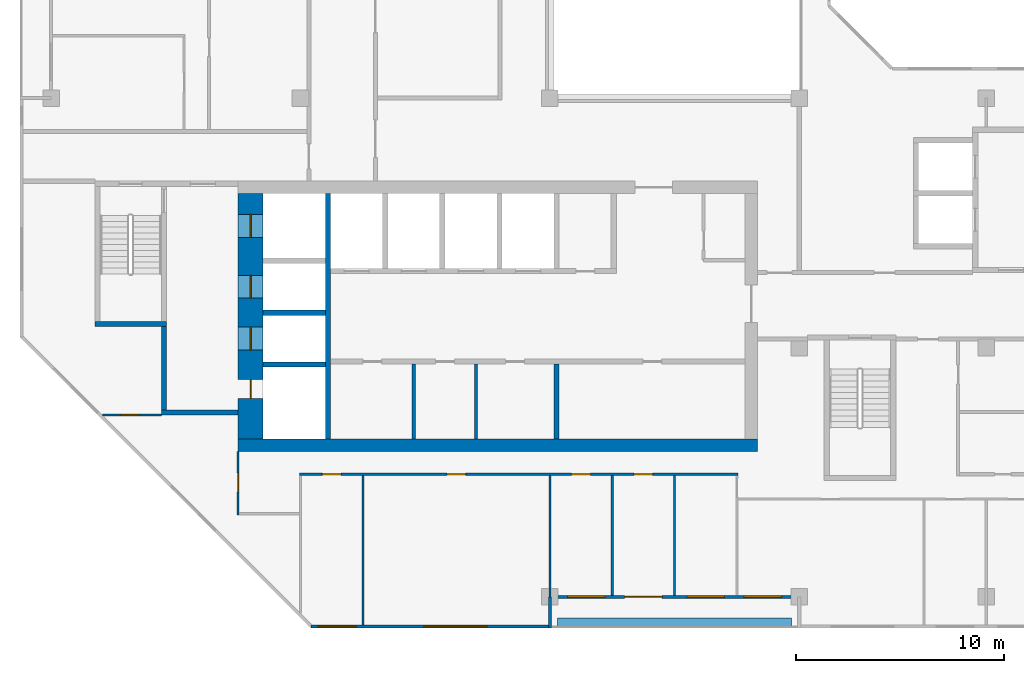
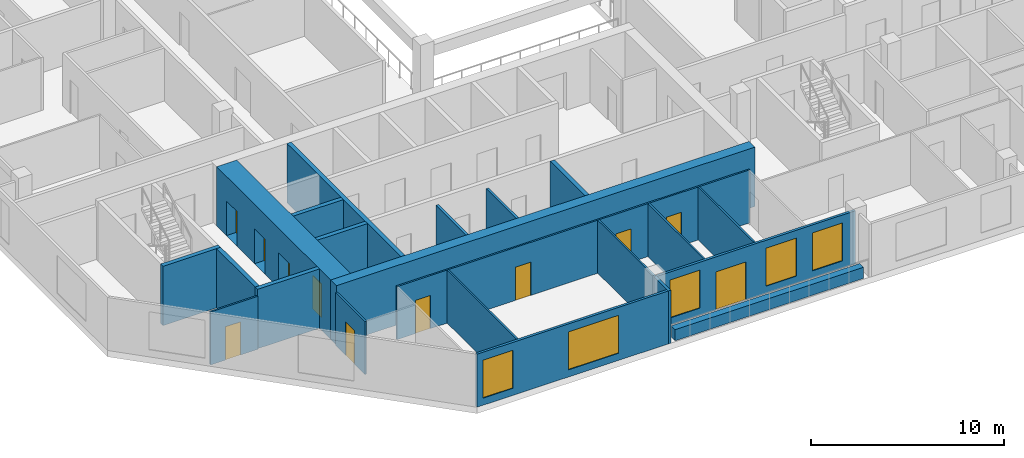
# One storey, part 4 of 13: 22 walls, 11 doors, 5 windows, 16 openings.
"""IFC4 building model written with IfcOpenShell, lengths in metres."""

from ifc_helpers import new_model, si_unit, direction, frame, frame_2d, origin, place, context, subcontext, project, spatial, rectangle, extrude, material, layer, layer_set, type_object, element, fill, save


model = new_model("IFC4")

# Units and contexts
model_context = context("Model", 3, precision=1e-05, world=origin(), true_north=direction((0.0, 1.0)))
body_context = subcontext(model_context, "Body", "Model", "MODEL_VIEW")
ifc_project = project(units=[si_unit("LENGTHUNIT", "METRE"), si_unit("AREAUNIT", "SQUARE_METRE"), si_unit("VOLUMEUNIT", "CUBIC_METRE"), si_unit("PLANEANGLEUNIT", "RADIAN"), si_unit("MASSUNIT", "GRAM", prefix="KILO")], contexts=[model_context])

# Site, building, storey
site_placement = place(None, origin())
site = spatial("IfcSite", under=ifc_project, at=site_placement, CompositionType="ELEMENT")
building_placement = place(site_placement, origin())
building = spatial("IfcBuilding", under=site, at=building_placement, Name="Chenar Terraces", CompositionType="ELEMENT")
storey_placement = place(building_placement, frame((0.0, 0.0, 292.14990234375)))
storey = spatial("IfcBuildingStorey", under=building, at=storey_placement, Name="L68", CompositionType="ELEMENT", Elevation=292.14990234375)

# Walls
ifc_material_1 = material(Name="Gypsum board on steel studs", Category="steel")
ifc_layer_1 = layer(ifc_material_1, 0.14990234375)
ifc_layer_set_1 = layer_set([ifc_layer_1], Name="Gypsum board on steel studs")
wall_type_1 = type_object("IfcWallType", Name="Core partition 150 gypsum board", PredefinedType="PARTITIONING", material=ifc_layer_set_1)
for number, where, z_axis, x_axis, name in (
    (1, (17.449951171875, 7.60009765625, 0.0), (0.0, 0.0, 1.0), (0.0, 1.0, 0.0), "Core partition CP1 freed bay wall"),
    (2, (20.449951171875, 7.60009765625, 0.0), (0.0, 0.0, 1.0), (0.0, 1.0, 0.0), "Core partition CP1 freed bay wall"),
):
    element("IfcWall", number, at=place(storey_placement, frame(where, z_axis=z_axis, x_axis=x_axis)), inside=storey, type_object=wall_type_1, Name=name, PredefinedType="PARTITIONING", context=body_context, shape_type="SweptSolid", body=[
        extrude(rectangle(XDim=3.599853515625, YDim=0.14990234375, at=frame_2d((1.7998046875, 0.0))), origin(), (0.0, 0.0, 1.0), 3.35009765625),
    ])

# Wall, openings, doors
ifc_material_2 = material(Name="Concrete C50/60", Category="concrete")
ifc_layer_2 = layer(ifc_material_2, 1.199951171875)
ifc_layer_set_2 = layer_set([ifc_layer_2], Name="Concrete C50/60")
wall_type_2 = type_object("IfcWallType", Name="Core wall 1200 Concrete C50/60", PredefinedType="SHEAR", material=ifc_layer_set_2)
wall_1_placement = place(storey_placement, frame((9.60009765625, 7.60009765625, 0.0), z_axis=(0.0, 0.0, 1.0), x_axis=(0.0, 1.0, 0.0)))
wall_1 = element("IfcWall", 3, at=wall_1_placement, inside=storey, type_object=wall_type_2, Name="Core wall W L68", PredefinedType="SHEAR", context=body_context, shape_type="SweptSolid", body=[
    extrude(rectangle(XDim=11.7998046875, YDim=1.199951171875, at=frame_2d((5.89990234375, 0.0))), origin(), (0.0, 0.0, 1.0), 3.75),
])
opening_1_placement = place(wall_1_placement, frame((4.27490234375, 0.0, 0.0)))
opening_1 = element("IfcOpeningElement", 4, at=opening_1_placement, cuts=wall_1, Name="Opening DL68-LD5", PredefinedType="OPENING", context=body_context, shape_type="SweptSolid", body=[
    extrude(rectangle(XDim=1.10009765625, YDim=2.199951171875, at=frame_2d((0.550048828125, 1.10009765625))), frame((0.0, 0.60986328125, 0.0), z_axis=(0.0, -1.0, 0.0), x_axis=(1.0, 0.0, 0.0)), (0.0, 0.0, 1.0), 1.219970703125),
])
opening_2_placement = place(wall_1_placement, frame((6.77490234375, 0.0, 0.0)))
opening_2 = element("IfcOpeningElement", 5, at=opening_2_placement, cuts=wall_1, Name="Opening DL68-LD6", PredefinedType="OPENING", context=body_context, shape_type="SweptSolid", body=[
    extrude(rectangle(XDim=1.10009765625, YDim=2.199951171875, at=frame_2d((0.550048828125, 1.10009765625))), frame((0.0, 0.60986328125, 0.0), z_axis=(0.0, -1.0, 0.0), x_axis=(1.0, 0.0, 0.0)), (0.0, 0.0, 1.0), 1.219970703125),
])
opening_3_placement = place(wall_1_placement, frame((9.699951171875, 0.0, 0.0)))
opening_3 = element("IfcOpeningElement", 6, at=opening_3_placement, cuts=wall_1, Name="Opening DL68-LD7", PredefinedType="OPENING", context=body_context, shape_type="SweptSolid", body=[
    extrude(rectangle(XDim=1.10009765625, YDim=2.199951171875, at=frame_2d((0.550048828125, 1.10009765625))), frame((0.0, 0.60986328125, 0.0), z_axis=(0.0, -1.0, 0.0), x_axis=(1.0, 0.0, 0.0)), (0.0, 0.0, 1.0), 1.219970703125),
])
opening_4_placement = place(wall_1_placement, frame((1.949951171875, 0.0, 0.0)))
opening_4 = element("IfcOpeningElement", 7, at=opening_4_placement, cuts=wall_1, Name="Opening DL68-C4", PredefinedType="OPENING", context=body_context, shape_type="SweptSolid", body=[
    extrude(rectangle(XDim=0.89990234375, YDim=2.10009765625, at=frame_2d((0.449951171875, 1.050048828125))), frame((0.0, 0.60986328125, 0.0), z_axis=(0.0, -1.0, 0.0), x_axis=(1.0, 0.0, 0.0)), (0.0, 0.0, 1.0), 1.219970703125),
])
ifc_material_3 = material(Name="Stainless steel", Category="steel")
door_type_1 = type_object("IfcDoorType", Name="Lift landing door 1100 x 2200 sliding", OperationType="DOUBLE_DOOR_SLIDING", PredefinedType="DOOR", material=ifc_material_3)
door_1_placement = place(opening_1_placement, origin())
door_1 = element("IfcDoor", 8, at=door_1_placement, inside=storey, type_object=door_type_1, Name="Landing door S1", OperationType="DOUBLE_DOOR_SLIDING", OverallHeight=2.199951171875, OverallWidth=1.10009765625, PredefinedType="DOOR", context=body_context, shape_type="SweptSolid", body=[
    extrude(rectangle(XDim=1.10009765625, YDim=2.199951171875, at=frame_2d((0.550048828125, 1.10009765625))), frame((0.0, 0.02490234375, 0.0), z_axis=(0.0, -1.0, 0.0), x_axis=(1.0, 0.0, 0.0)), (0.0, 0.0, 1.0), 0.050048828125),
])
fill(opening_1, door_1)
door_2_placement = place(opening_2_placement, origin())
door_2 = element("IfcDoor", 9, at=door_2_placement, inside=storey, type_object=door_type_1, Name="Landing door F1", OperationType="DOUBLE_DOOR_SLIDING", OverallHeight=2.199951171875, OverallWidth=1.10009765625, PredefinedType="DOOR", context=body_context, shape_type="SweptSolid", body=[
    extrude(rectangle(XDim=1.10009765625, YDim=2.199951171875, at=frame_2d((0.550048828125, 1.10009765625))), frame((0.0, 0.02490234375, 0.0), z_axis=(0.0, -1.0, 0.0), x_axis=(1.0, 0.0, 0.0)), (0.0, 0.0, 1.0), 0.050048828125),
])
fill(opening_2, door_2)
door_3_placement = place(opening_3_placement, origin())
door_3 = element("IfcDoor", 10, at=door_3_placement, inside=storey, type_object=door_type_1, Name="Landing door F2", OperationType="DOUBLE_DOOR_SLIDING", OverallHeight=2.199951171875, OverallWidth=1.10009765625, PredefinedType="DOOR", context=body_context, shape_type="SweptSolid", body=[
    extrude(rectangle(XDim=1.10009765625, YDim=2.199951171875, at=frame_2d((0.550048828125, 1.10009765625))), frame((0.0, 0.02490234375, 0.0), z_axis=(0.0, -1.0, 0.0), x_axis=(1.0, 0.0, 0.0)), (0.0, 0.0, 1.0), 0.050048828125),
])
fill(opening_3, door_3)
ifc_material_4 = material(Name="Steel-framed fire-resisting door leaf", Category="steel")
door_type_2 = type_object("IfcDoorType", Name="Riser fire door FD60 900 x 2100", OperationType="SINGLE_SWING_LEFT", PredefinedType="DOOR", material=ifc_material_4)
door_4_placement = place(opening_4_placement, frame((0.89990234375, 0.0, 0.0), z_axis=(0.0, 0.0, 1.0), x_axis=(-1.0, 0.0, 0.0)))
door_4 = element("IfcDoor", 11, at=door_4_placement, inside=storey, type_object=door_type_2, Name="Riser door DL68-C4", OperationType="SINGLE_SWING_LEFT", OverallHeight=2.10009765625, OverallWidth=0.89990234375, PredefinedType="DOOR", context=body_context, shape_type="SweptSolid", body=[
    extrude(rectangle(XDim=0.89990234375, YDim=2.10009765625, at=frame_2d((0.449951171875, 1.050048828125))), frame((0.0, 0.02490234375, 0.0), z_axis=(0.0, -1.0, 0.0), x_axis=(1.0, 0.0, 0.0)), (0.0, 0.0, 1.0), 0.050048828125),
])
fill(opening_4, door_4)

# Walls
ifc_material_5 = material(Name="Concrete C50/60", Category="concrete")
ifc_layer_3 = layer(ifc_material_5, 0.25)
ifc_layer_set_3 = layer_set([ifc_layer_3], Name="Concrete C50/60")
wall_type_3 = type_object("IfcWallType", Name="Core wall 250 Concrete C50/60", PredefinedType="SHEAR", material=ifc_layer_set_3)
wall_2_placement = place(storey_placement, frame((13.324951171875, 7.60009765625, 0.0), z_axis=(0.0, 0.0, 1.0), x_axis=(0.0, 1.0, 0.0)))
element("IfcWall", 12, at=wall_2_placement, inside=storey, type_object=wall_type_3, Name="Core wall WI L68", PredefinedType="SHEAR", context=body_context, shape_type="SweptSolid", body=[
    extrude(rectangle(XDim=11.7998046875, YDim=0.25, at=frame_2d((5.89990234375, 0.0))), origin(), (0.0, 0.0, 1.0), 3.75),
])
for number, where, z_axis, x_axis, name in (
    (13, (10.199951171875, 11.175048828125, 0.0), (0.0, 0.0, 1.0), (1.0, 0.0, 0.0), "Core wall HW0 L68"),
    (14, (10.199951171875, 13.675048828125, 0.0), (0.0, 0.0, 1.0), (1.0, 0.0, 0.0), "Core wall HW1 L68"),
):
    element("IfcWall", number, at=place(storey_placement, frame(where, z_axis=z_axis, x_axis=x_axis)), inside=storey, type_object=wall_type_3, Name=name, PredefinedType="SHEAR", context=body_context, shape_type="SweptSolid", body=[
        extrude(rectangle(XDim=3.0, YDim=0.25, at=frame_2d((1.5, 0.0))), origin(), (0.0, 0.0, 1.0), 3.75),
    ])
wall_3_placement = place(storey_placement, frame((24.324951171875, 7.60009765625, 0.0), z_axis=(0.0, 0.0, 1.0), x_axis=(0.0, 1.0, 0.0)))
element("IfcWall", 15, at=wall_3_placement, inside=storey, type_object=wall_type_3, Name="Core wall SS3 L68", PredefinedType="SHEAR", context=body_context, shape_type="SweptSolid", body=[
    extrude(rectangle(XDim=3.599853515625, YDim=0.25, at=frame_2d((1.7998046875, 0.0))), origin(), (0.0, 0.0, 1.0), 3.75),
])
wall_4_placement = place(storey_placement, frame((2.10009765625, 13.125, 0.0), z_axis=(0.0, 0.0, 1.0), x_axis=(1.0, 0.0, 0.0)))
element("IfcWall", 16, at=wall_4_placement, inside=storey, type_object=wall_type_3, Name="Core wall ST1_S L68", PredefinedType="SHEAR", context=body_context, shape_type="SweptSolid", body=[
    extrude(rectangle(XDim=3.449951171875, YDim=0.25, at=frame_2d((1.72509765625, 0.0))), origin(), (0.0, 0.0, 1.0), 3.75),
])
wall_5_placement = place(storey_placement, frame((5.300048828125, 8.875, 0.0), z_axis=(0.0, 0.0, 1.0), x_axis=(1.0, 0.0, 0.0)))
element("IfcWall", 17, at=wall_5_placement, inside=storey, type_object=wall_type_3, Name="Core wall FFL_S L68", PredefinedType="SHEAR", context=body_context, shape_type="SweptSolid", body=[
    extrude(rectangle(XDim=3.699951171875, YDim=0.25, at=frame_2d((1.85009765625, 0.0))), origin(), (0.0, 0.0, 1.0), 3.75),
])
wall_6_placement = place(storey_placement, frame((5.425048828125, 9.0, 0.0), z_axis=(0.0, 0.0, 1.0), x_axis=(0.0, 1.0, 0.0)))
element("IfcWall", 18, at=wall_6_placement, inside=storey, type_object=wall_type_3, Name="Core wall FFL_W L68", PredefinedType="SHEAR", context=body_context, shape_type="SweptSolid", body=[
    extrude(rectangle(XDim=4.0, YDim=0.25, at=frame_2d((2.0, 0.0))), origin(), (0.0, 0.0, 1.0), 3.75),
])
ifc_material_6 = material(Name="Concrete C50/60", Category="concrete")
ifc_layer_4 = layer(ifc_material_6, 0.60009765625)
ifc_layer_set_4 = layer_set([ifc_layer_4], Name="Concrete C50/60")
wall_type_4 = type_object("IfcWallType", Name="Core wall 600 Concrete C50/60", PredefinedType="SHEAR", material=ifc_layer_set_4)
wall_7_placement = place(storey_placement, frame((9.0, 7.300048828125, 0.0), z_axis=(0.0, 0.0, 1.0), x_axis=(1.0, 0.0, 0.0)))
element("IfcWall", 19, at=wall_7_placement, inside=storey, type_object=wall_type_4, Name="Core wall S L68", PredefinedType="SHEAR", context=body_context, shape_type="SweptSolid", body=[
    extrude(rectangle(XDim=25.0, YDim=0.60009765625, at=frame_2d((12.5, 0.0))), origin(), (0.0, 0.0, 1.0), 3.75),
])

# Wall, openings, windows
ifc_material_7 = material(Name="Aluminium framed glazing", Category="aluminium")
ifc_layer_5 = layer(ifc_material_7, 0.14990234375)
ifc_layer_set_5 = layer_set([ifc_layer_5], Name="Aluminium framed glazing")
wall_type_5 = type_object("IfcWallType", Name="Glazed flush facade wall 150", PredefinedType="SOLIDWALL", material=ifc_layer_set_5)
wall_8_placement = place(storey_placement, frame((12.5, -1.425048828125, 0.0), z_axis=(0.0, 0.0, 1.0), x_axis=(1.0, 0.0, 0.0)))
wall_8 = element("IfcWall", 20, at=wall_8_placement, inside=storey, type_object=wall_type_5, Name="Glazed flush facade wall", PredefinedType="SOLIDWALL", context=body_context, shape_type="SweptSolid", body=[
    extrude(rectangle(XDim=11.425048828125, YDim=0.14990234375, at=frame_2d((5.71240234375, 0.0))), origin(), (0.0, 0.0, 1.0), 3.35009765625),
])
opening_5_placement = place(wall_8_placement, frame((0.35009765625, 0.0, 0.449951171875)))
opening_5 = element("IfcOpeningElement", 21, at=opening_5_placement, cuts=wall_8, Name="Opening W180x240", PredefinedType="OPENING", context=body_context, shape_type="SweptSolid", body=[
    extrude(rectangle(XDim=1.800048828125, YDim=2.39990234375, at=frame_2d((0.89990234375, 1.199951171875))), frame((0.0, 0.0849609375, 0.0), z_axis=(0.0, -1.0, 0.0), x_axis=(1.0, 0.0, 0.0)), (0.0, 0.0, 1.0), 0.169921875),
])
opening_6_placement = place(wall_8_placement, frame((5.46240234375, 0.0, 0.449951171875)))
opening_6 = element("IfcOpeningElement", 22, at=opening_6_placement, cuts=wall_8, Name="Opening W300x240", PredefinedType="OPENING", context=body_context, shape_type="SweptSolid", body=[
    extrude(rectangle(XDim=3.0, YDim=2.39990234375, at=frame_2d((1.5, 1.199951171875))), frame((0.0, 0.0849609375, 0.0), z_axis=(0.0, -1.0, 0.0), x_axis=(1.0, 0.0, 0.0)), (0.0, 0.0, 1.0), 0.169921875),
])
ifc_material_8 = material(Name="Low emissivity double glazing, aluminium frame", Category="aluminium")
window_type_1 = type_object("IfcWindowType", Name="Fixed light 1800 x 2400", PartitioningType="SINGLE_PANEL", PredefinedType="WINDOW", material=ifc_material_8)
window_1_placement = place(opening_5_placement, origin())
window_1 = element("IfcWindow", 23, at=window_1_placement, inside=storey, type_object=window_type_1, Name="Window", OverallHeight=2.39990234375, OverallWidth=1.800048828125, PartitioningType="SINGLE_PANEL", PredefinedType="WINDOW", context=body_context, shape_type="SweptSolid", body=[
    extrude(rectangle(XDim=1.800048828125, YDim=2.39990234375, at=frame_2d((0.89990234375, 1.199951171875))), frame((0.0, 0.030029296875, 0.0), z_axis=(0.0, -1.0, 0.0), x_axis=(1.0, 0.0, 0.0)), (0.0, 0.0, 1.0), 0.06005859375),
])
fill(opening_5, window_1)
ifc_material_9 = material(Name="Low emissivity double glazing, aluminium frame", Category="aluminium")
window_type_2 = type_object("IfcWindowType", Name="Fixed light 3000 x 2400", PartitioningType="SINGLE_PANEL", PredefinedType="WINDOW", material=ifc_material_9)
window_2_placement = place(opening_6_placement, origin())
window_2 = element("IfcWindow", 24, at=window_2_placement, inside=storey, type_object=window_type_2, Name="Window", OverallHeight=2.39990234375, OverallWidth=3.0, PartitioningType="SINGLE_PANEL", PredefinedType="WINDOW", context=body_context, shape_type="SweptSolid", body=[
    extrude(rectangle(XDim=3.0, YDim=2.39990234375, at=frame_2d((1.5, 1.199951171875))), frame((0.0, 0.030029296875, 0.0), z_axis=(0.0, -1.0, 0.0), x_axis=(1.0, 0.0, 0.0)), (0.0, 0.0, 1.0), 0.06005859375),
])
fill(opening_6, window_2)

# Wall, openings, windows, door
ifc_material_10 = material(Name="Aluminium framed glazing", Category="aluminium")
ifc_layer_6 = layer(ifc_material_10, 0.14990234375)
ifc_layer_set_6 = layer_set([ifc_layer_6], Name="Aluminium framed glazing")
wall_type_6 = type_object("IfcWallType", Name="Glazed loggia back wall 150", PredefinedType="SOLIDWALL", material=ifc_layer_set_6)
wall_9_placement = place(storey_placement, frame((24.074951171875, 0.0, 0.0), z_axis=(0.0, 0.0, 1.0), x_axis=(1.0, 0.0, 0.0)))
wall_9 = element("IfcWall", 25, at=wall_9_placement, inside=storey, type_object=wall_type_6, Name="Glazed loggia back wall", PredefinedType="SOLIDWALL", context=body_context, shape_type="SweptSolid", body=[
    extrude(rectangle(XDim=11.85009765625, YDim=0.14990234375, at=frame_2d((5.925048828125, 0.0))), origin(), (0.0, 0.0, 1.0), 3.35009765625),
])
opening_7_placement = place(wall_9_placement, frame((0.77490234375, 0.0, 0.449951171875)))
opening_7 = element("IfcOpeningElement", 26, at=opening_7_placement, cuts=wall_9, Name="Opening W180x240", PredefinedType="OPENING", context=body_context, shape_type="SweptSolid", body=[
    extrude(rectangle(XDim=1.800048828125, YDim=2.39990234375, at=frame_2d((0.89990234375, 1.199951171875))), frame((0.0, 0.0849609375, 0.0), z_axis=(0.0, -1.0, 0.0), x_axis=(1.0, 0.0, 0.0)), (0.0, 0.0, 1.0), 0.169921875),
])
opening_8_placement = place(wall_9_placement, frame((3.52490234375, 0.0, 0.0)))
opening_8 = element("IfcOpeningElement", 27, at=opening_8_placement, cuts=wall_9, Name="Opening DL68-G5", PredefinedType="OPENING", context=body_context, shape_type="SweptSolid", body=[
    extrude(rectangle(XDim=1.800048828125, YDim=2.39990234375, at=frame_2d((0.89990234375, 1.199951171875))), frame((0.0, 0.0849609375, 0.0), z_axis=(0.0, -1.0, 0.0), x_axis=(1.0, 0.0, 0.0)), (0.0, 0.0, 1.0), 0.169921875),
])
opening_9_placement = place(wall_9_placement, frame((6.52490234375, 0.0, 0.449951171875)))
opening_9 = element("IfcOpeningElement", 28, at=opening_9_placement, cuts=wall_9, Name="Opening W180x240", PredefinedType="OPENING", context=body_context, shape_type="SweptSolid", body=[
    extrude(rectangle(XDim=1.800048828125, YDim=2.39990234375, at=frame_2d((0.89990234375, 1.199951171875))), frame((0.0, 0.0849609375, 0.0), z_axis=(0.0, -1.0, 0.0), x_axis=(1.0, 0.0, 0.0)), (0.0, 0.0, 1.0), 0.169921875),
])
opening_10_placement = place(wall_9_placement, frame((9.27490234375, 0.0, 0.449951171875)))
opening_10 = element("IfcOpeningElement", 29, at=opening_10_placement, cuts=wall_9, Name="Opening W180x240", PredefinedType="OPENING", context=body_context, shape_type="SweptSolid", body=[
    extrude(rectangle(XDim=1.800048828125, YDim=2.39990234375, at=frame_2d((0.89990234375, 1.199951171875))), frame((0.0, 0.0849609375, 0.0), z_axis=(0.0, -1.0, 0.0), x_axis=(1.0, 0.0, 0.0)), (0.0, 0.0, 1.0), 0.169921875),
])
window_3_placement = place(opening_7_placement, origin())
window_3 = element("IfcWindow", 30, at=window_3_placement, inside=storey, type_object=window_type_1, Name="Window", OverallHeight=2.39990234375, OverallWidth=1.800048828125, PartitioningType="SINGLE_PANEL", PredefinedType="WINDOW", context=body_context, shape_type="SweptSolid", body=[
    extrude(rectangle(XDim=1.800048828125, YDim=2.39990234375, at=frame_2d((0.89990234375, 1.199951171875))), frame((0.0, 0.030029296875, 0.0), z_axis=(0.0, -1.0, 0.0), x_axis=(1.0, 0.0, 0.0)), (0.0, 0.0, 1.0), 0.06005859375),
])
fill(opening_7, window_3)
window_4_placement = place(opening_9_placement, origin())
window_4 = element("IfcWindow", 31, at=window_4_placement, inside=storey, type_object=window_type_1, Name="Window", OverallHeight=2.39990234375, OverallWidth=1.800048828125, PartitioningType="SINGLE_PANEL", PredefinedType="WINDOW", context=body_context, shape_type="SweptSolid", body=[
    extrude(rectangle(XDim=1.800048828125, YDim=2.39990234375, at=frame_2d((0.89990234375, 1.199951171875))), frame((0.0, 0.030029296875, 0.0), z_axis=(0.0, -1.0, 0.0), x_axis=(1.0, 0.0, 0.0)), (0.0, 0.0, 1.0), 0.06005859375),
])
fill(opening_9, window_4)
window_5_placement = place(opening_10_placement, origin())
window_5 = element("IfcWindow", 32, at=window_5_placement, inside=storey, type_object=window_type_1, Name="Window", OverallHeight=2.39990234375, OverallWidth=1.800048828125, PartitioningType="SINGLE_PANEL", PredefinedType="WINDOW", context=body_context, shape_type="SweptSolid", body=[
    extrude(rectangle(XDim=1.800048828125, YDim=2.39990234375, at=frame_2d((0.89990234375, 1.199951171875))), frame((0.0, 0.030029296875, 0.0), z_axis=(0.0, -1.0, 0.0), x_axis=(1.0, 0.0, 0.0)), (0.0, 0.0, 1.0), 0.06005859375),
])
fill(opening_10, window_5)
ifc_material_11 = material(Name="Low emissivity double glazing, aluminium frame", Category="aluminium")
door_type_3 = type_object("IfcDoorType", Name="Loggia glazed double door 1800 x 2400", OperationType="DOUBLE_DOOR_SINGLE_SWING", PredefinedType="DOOR", material=ifc_material_11)
door_5_placement = place(opening_8_placement, frame((1.800048828125, 0.0, 0.0), z_axis=(0.0, 0.0, 1.0), x_axis=(-1.0, 0.0, 0.0)))
door_5 = element("IfcDoor", 33, at=door_5_placement, inside=storey, type_object=door_type_3, Name="Loggia glazed door", OperationType="DOUBLE_DOOR_SINGLE_SWING", OverallHeight=2.39990234375, OverallWidth=1.800048828125, PredefinedType="DOOR", context=body_context, shape_type="SweptSolid", body=[
    extrude(rectangle(XDim=1.800048828125, YDim=2.39990234375, at=frame_2d((0.89990234375, 1.199951171875))), frame((0.0, 0.02490234375, 0.0), z_axis=(0.0, -1.0, 0.0), x_axis=(1.0, 0.0, 0.0)), (0.0, 0.0, 1.0), 0.050048828125),
])
fill(opening_8, door_5)

# Wall, opening, door
ifc_material_12 = material(Name="Gypsum board on steel studs", Category="steel")
ifc_layer_7 = layer(ifc_material_12, 0.10009765625)
ifc_layer_set_7 = layer_set([ifc_layer_7], Name="Gypsum board on steel studs")
wall_type_7 = type_object("IfcWallType", Name="Gypsum partition 100", PredefinedType="PARTITIONING", material=ifc_layer_set_7)
wall_10_placement = place(storey_placement, frame((2.4609375, 8.75, 0.0), z_axis=(0.0, 0.0, 1.0), x_axis=(1.0, 0.0, 0.0)))
wall_10 = element("IfcWall", 34, at=wall_10_placement, inside=storey, type_object=wall_type_7, Name="Partition L68-009", PredefinedType="PARTITIONING", context=body_context, shape_type="SweptSolid", body=[
    extrude(rectangle(XDim=2.839111328125, YDim=0.10009765625, at=frame_2d((1.41943359375, 0.0))), origin(), (0.0, 0.0, 1.0), 3.35009765625),
])
opening_11_placement = place(wall_10_placement, frame((0.888916015625, 0.0, 0.0)))
opening_11 = element("IfcOpeningElement", 35, at=opening_11_placement, cuts=wall_10, Name="Opening DL68-43", PredefinedType="OPENING", context=body_context, shape_type="SweptSolid", body=[
    extrude(rectangle(XDim=0.89990234375, YDim=2.10009765625, at=frame_2d((0.449951171875, 1.050048828125))), frame((0.0, 0.06005859375, 0.0), z_axis=(0.0, -1.0, 0.0), x_axis=(1.0, 0.0, 0.0)), (0.0, 0.0, 1.0), 0.1201171875),
])
ifc_material_13 = material(Name="Veneered timber door leaf", Category="wood")
door_type_4 = type_object("IfcDoorType", Name="Door 900 x 2100", OperationType="SINGLE_SWING_LEFT", PredefinedType="DOOR", material=ifc_material_13)
door_6_placement = place(opening_11_placement, frame((0.89990234375, 0.0, 0.0), z_axis=(0.0, 0.0, 1.0), x_axis=(-1.0, 0.0, 0.0)))
door_6 = element("IfcDoor", 36, at=door_6_placement, inside=storey, type_object=door_type_4, Name="Door DL68-43", OperationType="SINGLE_SWING_RIGHT", OverallHeight=2.10009765625, OverallWidth=0.89990234375, PredefinedType="DOOR", context=body_context, shape_type="SweptSolid", body=[
    extrude(rectangle(XDim=0.89990234375, YDim=2.10009765625, at=frame_2d((0.449951171875, 1.050048828125))), frame((0.0, 0.02490234375, 0.0), z_axis=(0.0, -1.0, 0.0), x_axis=(1.0, 0.0, 0.0)), (0.0, 0.0, 1.0), 0.050048828125),
])
fill(opening_11, door_6)

wall_11_placement = place(storey_placement, frame((9.0, 3.949951171875, 0.0), z_axis=(0.0, 0.0, 1.0), x_axis=(0.0, 1.0, 0.0)))
wall_11 = element("IfcWall", 37, at=wall_11_placement, inside=storey, type_object=wall_type_7, Name="Partition L68-025", PredefinedType="PARTITIONING", context=body_context, shape_type="SweptSolid", body=[
    extrude(rectangle(XDim=3.050048828125, YDim=0.10009765625, at=frame_2d((1.52490234375, 0.0))), origin(), (0.0, 0.0, 1.0), 3.35009765625),
])
opening_12_placement = place(wall_11_placement, frame((1.10009765625, 0.0, 0.0)))
opening_12 = element("IfcOpeningElement", 38, at=opening_12_placement, cuts=wall_11, Name="Opening DL68-42", PredefinedType="OPENING", context=body_context, shape_type="SweptSolid", body=[
    extrude(rectangle(XDim=0.89990234375, YDim=2.10009765625, at=frame_2d((0.449951171875, 1.050048828125))), frame((0.0, 0.06005859375, 0.0), z_axis=(0.0, -1.0, 0.0), x_axis=(1.0, 0.0, 0.0)), (0.0, 0.0, 1.0), 0.1201171875),
])
door_7_placement = place(opening_12_placement, origin())
door_7 = element("IfcDoor", 39, at=door_7_placement, inside=storey, type_object=door_type_4, Name="Door DL68-42", OperationType="SINGLE_SWING_LEFT", OverallHeight=2.10009765625, OverallWidth=0.89990234375, PredefinedType="DOOR", context=body_context, shape_type="SweptSolid", body=[
    extrude(rectangle(XDim=0.89990234375, YDim=2.10009765625, at=frame_2d((0.449951171875, 1.050048828125))), frame((0.0, 0.02490234375, 0.0), z_axis=(0.0, -1.0, 0.0), x_axis=(1.0, 0.0, 0.0)), (0.0, 0.0, 1.0), 0.050048828125),
])
fill(opening_12, door_7)

# Wall, openings, doors
wall_12_placement = place(storey_placement, frame((11.949951171875, 5.89990234375, 0.0), z_axis=(0.0, 0.0, 1.0), x_axis=(1.0, 0.0, 0.0)))
wall_12 = element("IfcWall", 40, at=wall_12_placement, inside=storey, type_object=wall_type_7, Name="Partition L68-027", PredefinedType="PARTITIONING", context=body_context, shape_type="SweptSolid", body=[
    extrude(rectangle(XDim=21.10009765625, YDim=0.10009765625, at=frame_2d((10.550048828125, 0.0))), origin(), (0.0, 0.0, 1.0), 3.35009765625),
])
opening_13_placement = place(wall_12_placement, frame((1.10009765625, 0.0, 0.0)))
opening_13 = element("IfcOpeningElement", 41, at=opening_13_placement, cuts=wall_12, Name="Opening DL68-36", PredefinedType="OPENING", context=body_context, shape_type="SweptSolid", body=[
    extrude(rectangle(XDim=0.89990234375, YDim=2.10009765625, at=frame_2d((0.449951171875, 1.050048828125))), frame((0.0, 0.06005859375, 0.0), z_axis=(0.0, -1.0, 0.0), x_axis=(1.0, 0.0, 0.0)), (0.0, 0.0, 1.0), 0.1201171875),
])
opening_14_placement = place(wall_12_placement, frame((13.10009765625, 0.0, 0.0)))
opening_14 = element("IfcOpeningElement", 42, at=opening_14_placement, cuts=wall_12, Name="Opening DL68-37", PredefinedType="OPENING", context=body_context, shape_type="SweptSolid", body=[
    extrude(rectangle(XDim=0.89990234375, YDim=2.10009765625, at=frame_2d((0.449951171875, 1.050048828125))), frame((0.0, 0.06005859375, 0.0), z_axis=(0.0, -1.0, 0.0), x_axis=(1.0, 0.0, 0.0)), (0.0, 0.0, 1.0), 0.1201171875),
])
opening_15_placement = place(wall_12_placement, frame((16.10009765625, 0.0, 0.0)))
opening_15 = element("IfcOpeningElement", 43, at=opening_15_placement, cuts=wall_12, Name="Opening DL68-38", PredefinedType="OPENING", context=body_context, shape_type="SweptSolid", body=[
    extrude(rectangle(XDim=0.89990234375, YDim=2.10009765625, at=frame_2d((0.449951171875, 1.050048828125))), frame((0.0, 0.06005859375, 0.0), z_axis=(0.0, -1.0, 0.0), x_axis=(1.0, 0.0, 0.0)), (0.0, 0.0, 1.0), 0.1201171875),
])
opening_16_placement = place(wall_12_placement, frame((7.10009765625, 0.0, 0.0)))
opening_16 = element("IfcOpeningElement", 44, at=opening_16_placement, cuts=wall_12, Name="Opening DL68-46", PredefinedType="OPENING", context=body_context, shape_type="SweptSolid", body=[
    extrude(rectangle(XDim=0.89990234375, YDim=2.10009765625, at=frame_2d((0.449951171875, 1.050048828125))), frame((0.0, 0.06005859375, 0.0), z_axis=(0.0, -1.0, 0.0), x_axis=(1.0, 0.0, 0.0)), (0.0, 0.0, 1.0), 0.1201171875),
])
door_8_placement = place(opening_13_placement, frame((0.89990234375, 0.0, 0.0), z_axis=(0.0, 0.0, 1.0), x_axis=(-1.0, 0.0, 0.0)))
door_8 = element("IfcDoor", 45, at=door_8_placement, inside=storey, type_object=door_type_4, Name="Door DL68-36", OperationType="SINGLE_SWING_RIGHT", OverallHeight=2.10009765625, OverallWidth=0.89990234375, PredefinedType="DOOR", context=body_context, shape_type="SweptSolid", body=[
    extrude(rectangle(XDim=0.89990234375, YDim=2.10009765625, at=frame_2d((0.449951171875, 1.050048828125))), frame((0.0, 0.02490234375, 0.0), z_axis=(0.0, -1.0, 0.0), x_axis=(1.0, 0.0, 0.0)), (0.0, 0.0, 1.0), 0.050048828125),
])
fill(opening_13, door_8)
door_9_placement = place(opening_14_placement, frame((0.89990234375, 0.0, 0.0), z_axis=(0.0, 0.0, 1.0), x_axis=(-1.0, 0.0, 0.0)))
door_9 = element("IfcDoor", 46, at=door_9_placement, inside=storey, type_object=door_type_4, Name="Door DL68-37", OperationType="SINGLE_SWING_RIGHT", OverallHeight=2.10009765625, OverallWidth=0.89990234375, PredefinedType="DOOR", context=body_context, shape_type="SweptSolid", body=[
    extrude(rectangle(XDim=0.89990234375, YDim=2.10009765625, at=frame_2d((0.449951171875, 1.050048828125))), frame((0.0, 0.02490234375, 0.0), z_axis=(0.0, -1.0, 0.0), x_axis=(1.0, 0.0, 0.0)), (0.0, 0.0, 1.0), 0.050048828125),
])
fill(opening_14, door_9)
door_10_placement = place(opening_15_placement, frame((0.89990234375, 0.0, 0.0), z_axis=(0.0, 0.0, 1.0), x_axis=(-1.0, 0.0, 0.0)))
door_10 = element("IfcDoor", 47, at=door_10_placement, inside=storey, type_object=door_type_4, Name="Door DL68-38", OperationType="SINGLE_SWING_RIGHT", OverallHeight=2.10009765625, OverallWidth=0.89990234375, PredefinedType="DOOR", context=body_context, shape_type="SweptSolid", body=[
    extrude(rectangle(XDim=0.89990234375, YDim=2.10009765625, at=frame_2d((0.449951171875, 1.050048828125))), frame((0.0, 0.02490234375, 0.0), z_axis=(0.0, -1.0, 0.0), x_axis=(1.0, 0.0, 0.0)), (0.0, 0.0, 1.0), 0.050048828125),
])
fill(opening_15, door_10)
door_11_placement = place(opening_16_placement, frame((0.89990234375, 0.0, 0.0), z_axis=(0.0, 0.0, 1.0), x_axis=(-1.0, 0.0, 0.0)))
door_11 = element("IfcDoor", 48, at=door_11_placement, inside=storey, type_object=door_type_4, Name="Door DL68-46", OperationType="SINGLE_SWING_RIGHT", OverallHeight=2.10009765625, OverallWidth=0.89990234375, PredefinedType="DOOR", context=body_context, shape_type="SweptSolid", body=[
    extrude(rectangle(XDim=0.89990234375, YDim=2.10009765625, at=frame_2d((0.449951171875, 1.050048828125))), frame((0.0, 0.02490234375, 0.0), z_axis=(0.0, -1.0, 0.0), x_axis=(1.0, 0.0, 0.0)), (0.0, 0.0, 1.0), 0.050048828125),
])
fill(opening_16, door_11)

# Walls
wall_13_placement = place(storey_placement, frame((15.0, -1.35009765625, 0.0), z_axis=(0.0, 0.0, 1.0), x_axis=(0.0, 1.0, 0.0)))
element("IfcWall", 49, at=wall_13_placement, inside=storey, type_object=wall_type_7, Name="Partition L68-030", PredefinedType="PARTITIONING", context=body_context, shape_type="SweptSolid", body=[
    extrude(rectangle(XDim=7.2001953125, YDim=0.10009765625, at=frame_2d((3.60009765625, 0.0))), origin(), (0.0, 0.0, 1.0), 3.35009765625),
])
wall_14_placement = place(storey_placement, frame((24.0, 0.0, 0.0), z_axis=(0.0, 0.0, 1.0), x_axis=(0.0, 1.0, 0.0)))
element("IfcWall", 50, at=wall_14_placement, inside=storey, type_object=wall_type_7, Name="Partition L68-043", PredefinedType="PARTITIONING", context=body_context, shape_type="SweptSolid", body=[
    extrude(rectangle(XDim=5.85009765625, YDim=0.10009765625, at=frame_2d((2.925048828125, 0.0))), origin(), (0.0, 0.0, 1.0), 3.35009765625),
])
for number, where, z_axis, x_axis, name in (
    (51, (27.0, 0.073974609375, 0.0), (0.0, 0.0, 1.0), (0.0, 1.0, 0.0), "Partition L68-044"),
    (52, (30.0, 0.073974609375, 0.0), (0.0, 0.0, 1.0), (0.0, 1.0, 0.0), "Partition L68-045"),
):
    element("IfcWall", number, at=place(storey_placement, frame(where, z_axis=z_axis, x_axis=x_axis)), inside=storey, type_object=wall_type_7, Name=name, PredefinedType="PARTITIONING", context=body_context, shape_type="SweptSolid", body=[
        extrude(rectangle(XDim=5.776123046875, YDim=0.10009765625, at=frame_2d((2.88818359375, 0.0))), origin(), (0.0, 0.0, 1.0), 3.35009765625),
    ])
ifc_material_14 = material(Name="Terracotta cladding on insulated backing", Category="masonry")
ifc_layer_8 = layer(ifc_material_14, 0.14990234375)
ifc_layer_set_8 = layer_set([ifc_layer_8], Name="Terracotta cladding on insulated backing")
wall_type_8 = type_object("IfcWallType", Name="Loggia return wall 150", PredefinedType="SOLIDWALL", material=ifc_layer_set_8)
wall_15_placement = place(storey_placement, frame((24.0, -1.5, 0.0), z_axis=(0.0, 0.0, 1.0), x_axis=(0.0, 1.0, 0.0)))
element("IfcWall", 53, at=wall_15_placement, inside=storey, type_object=wall_type_8, Name="Loggia return wall", PredefinedType="SOLIDWALL", context=body_context, shape_type="SweptSolid", body=[
    extrude(rectangle(XDim=1.5, YDim=0.14990234375, at=frame_2d((0.75, 0.0))), origin(), (0.0, 0.0, 1.0), 3.35009765625),
])
ifc_material_15 = material(Name="GRP planter trough")
ifc_layer_9 = layer(ifc_material_15, 0.39990234375)
ifc_layer_set_9 = layer_set([ifc_layer_9], Name="GRP planter trough")
wall_type_9 = type_object("IfcWallType", Name="Vertical greenery planter 400", PredefinedType="SOLIDWALL", material=ifc_layer_set_9)
wall_16_placement = place(storey_placement, frame((24.375, -1.22900390625, 0.0), z_axis=(0.0, 0.0, 1.0), x_axis=(1.0, 0.0, 0.0)))
element("IfcWall", 54, at=wall_16_placement, inside=storey, type_object=wall_type_9, Name="Vertical greenery planter", PredefinedType="SOLIDWALL", context=body_context, shape_type="SweptSolid", body=[
    extrude(rectangle(XDim=11.25, YDim=0.39990234375, at=frame_2d((5.625, 0.0))), origin(), (0.0, 0.0, 1.0), 0.7001953125),
])

save(model, "model.ifc")
